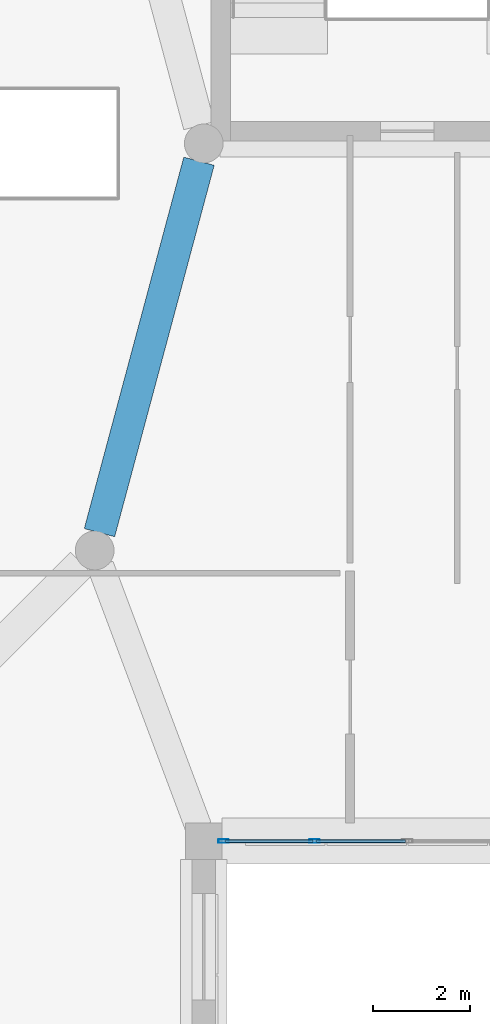
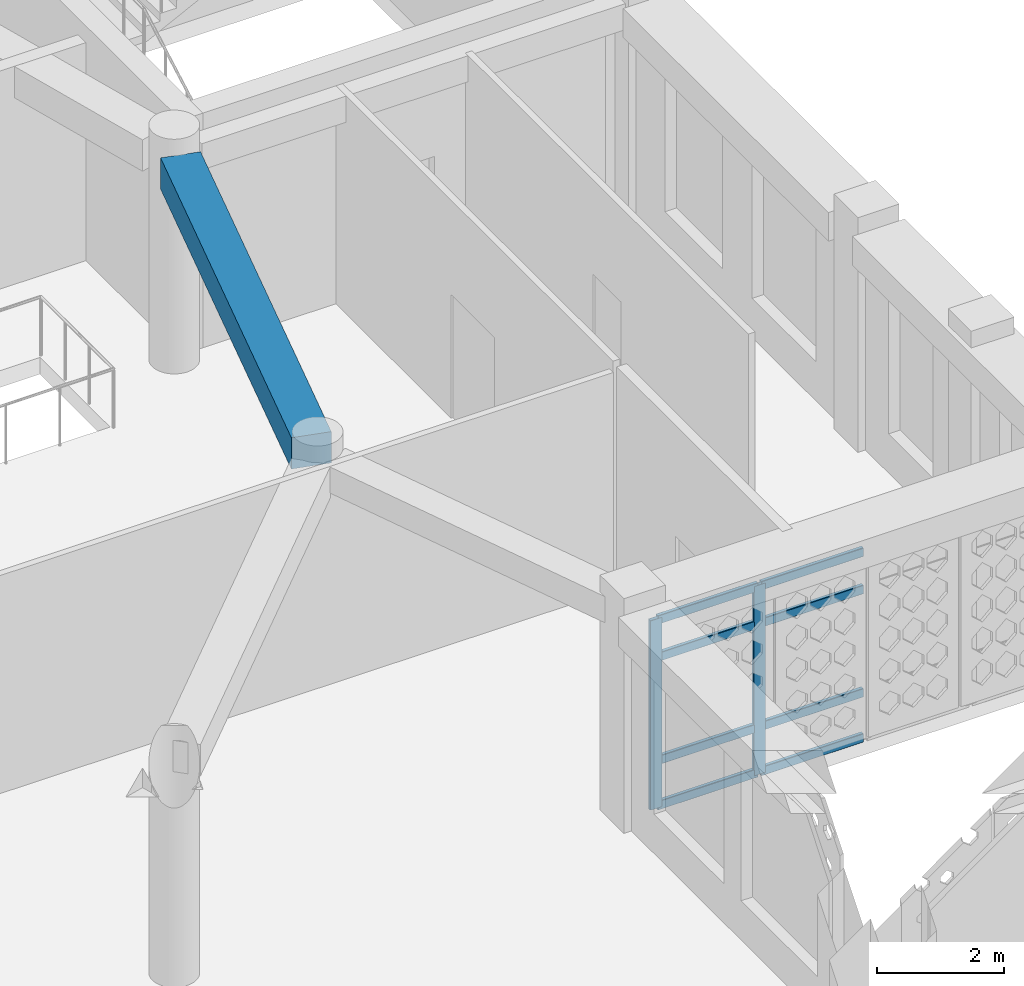
# One storey, part 34 of 121: 10 members, 1 beam, 1 element without a shape of its own.
"""IFC4 building model written with IfcOpenShell, lengths in metres."""

from ifc_helpers import new_model, si_unit, derived_unit, direction, frame, origin, origin_2d, place, context, subcontext, project, spatial, rectangle, hollow_rectangle, extrude, material, material_profile, profile_set, type_object, element, aggregate, save


model = new_model("IFC4")

# Units and contexts
model_context = context("Model", 3, precision=1e-05, world=origin(), true_north=direction((0.0, 1.0)))
body_context = subcontext(model_context, "Body", "Model", "MODEL_VIEW")
ifc_project = project(units=[si_unit("LENGTHUNIT", "METRE"), si_unit("AREAUNIT", "SQUARE_METRE"), si_unit("VOLUMEUNIT", "CUBIC_METRE"), si_unit("PLANEANGLEUNIT", "RADIAN"), si_unit("MASSUNIT", "GRAM", prefix="KILO"), derived_unit("THERMALTRANSMITTANCEUNIT", [(si_unit("POWERUNIT", "WATT"), 1), (si_unit("LENGTHUNIT", "METRE"), -2), (si_unit("THERMODYNAMICTEMPERATUREUNIT", "KELVIN"), -1)])], contexts=[model_context])

# Site, building, storey
site_placement = place(None, origin())
site = spatial("IfcSite", under=ifc_project, at=site_placement, CompositionType="ELEMENT")
building_placement = place(site_placement, origin())
building = spatial("IfcBuilding", under=site, at=building_placement, Name="Veybourne Emporium", CompositionType="ELEMENT")
storey_placement = place(building_placement, frame((0.0, 0.0, 5.39990234375)))
storey = spatial("IfcBuildingStorey", under=building, at=storey_placement, Name="L01", CompositionType="ELEMENT", Elevation=5.39990234375)

# Curtain wall, members
ifc_material_1 = material(Name="Patinated Architectural Bronze", Category="bronze")
curtain_wall_type = type_object("IfcCurtainWallType", Name="CWSystem_CWS-20", PredefinedType="NOTDEFINED", material=ifc_material_1)
curtain_wall_placement = place(storey_placement, origin())
curtain_wall = element("IfcCurtainWall", 1, at=curtain_wall_placement, inside=storey, type_object=curtain_wall_type, Name="L01 bronze glazed curtain wall CWS-20 (048)", PredefinedType="NOTDEFINED")
ifc_material_profile_1 = material_profile(ifc_material_1, hollow_rectangle(XDim=0.070068359375, YDim=0.219970703125, WallThickness=0.0048828125, InnerFilletRadius=0.007568359375, OuterFilletRadius=0.012451171875, at=origin_2d()), Name="CWM 70x220x5")
ifc_profile_set_1 = profile_set([ifc_material_profile_1], Name="Patinated Architectural Bronze")
member_type_1 = type_object("IfcMemberType", Name="CWMullion_CW-M4", PredefinedType="MULLION", material=ifc_profile_set_1)
member_1_placement = place(storey_placement, frame((94.6875, 36.0, 0.0), z_axis=(0.0, 0.0, 1.0), x_axis=(0.0, -1.0, 0.0)))
member_1 = element("IfcMember", 2, at=member_1_placement, type_object=member_type_1, Name="CWS-20 mullion 4", PredefinedType="MULLION", context=body_context, shape_type="SweptSolid", body=[
    extrude(hollow_rectangle(XDim=0.070068359375, YDim=0.219970703125, WallThickness=0.0048828125, InnerFilletRadius=0.007568359375, OuterFilletRadius=0.012451171875, at=origin_2d()), origin(), (0.0, 0.0, 1.0), 3.630126953125),
])
member_2_placement = place(storey_placement, frame((92.81005859375, 36.0, 0.0), z_axis=(0.0, 0.0, 1.0), x_axis=(0.0, -1.0, 0.0)))
member_2 = element("IfcMember", 3, at=member_2_placement, type_object=member_type_1, Name="CWS-20 mullion 5", PredefinedType="MULLION", context=body_context, shape_type="SweptSolid", body=[
    extrude(hollow_rectangle(XDim=0.070068359375, YDim=0.219970703125, WallThickness=0.0048828125, InnerFilletRadius=0.007568359375, OuterFilletRadius=0.012451171875, at=origin_2d()), origin(), (0.0, 0.0, 1.0), 3.630126953125),
])
ifc_material_profile_2 = material_profile(ifc_material_1, hollow_rectangle(XDim=0.070068359375, YDim=0.169921875, WallThickness=0.0048828125, InnerFilletRadius=0.007568359375, OuterFilletRadius=0.012451171875, at=origin_2d()), Name="CWT 70x170x5")
ifc_profile_set_2 = profile_set([ifc_material_profile_2], Name="Patinated Architectural Bronze")
member_type_2 = type_object("IfcMemberType", Name="CWTransom_CW-T4", PredefinedType="NOTDEFINED", material=ifc_profile_set_2)
member_3_placement = place(storey_placement, frame((96.56494140625, 36.0, 0.03515625), z_axis=(-1.0, 0.0, 0.0), x_axis=(0.0, -1.0, 0.0)))
member_3 = element("IfcMember", 4, at=member_3_placement, type_object=member_type_2, Name="CWS-20 transom 3.1", ObjectType="TRANSOM", PredefinedType="USERDEFINED", context=body_context, shape_type="SweptSolid", body=[
    extrude(hollow_rectangle(XDim=0.070068359375, YDim=0.169921875, WallThickness=0.0048828125, InnerFilletRadius=0.007568359375, OuterFilletRadius=0.012451171875, at=origin_2d()), origin(), (0.0, 0.0, 1.0), 1.842529296875),
])
member_4_placement = place(storey_placement, frame((96.56494140625, 36.0, 0.900146484375), z_axis=(-1.0, 0.0, 0.0), x_axis=(0.0, -1.0, 0.0)))
member_4 = element("IfcMember", 5, at=member_4_placement, type_object=member_type_2, Name="CWS-20 transom 3.2", ObjectType="TRANSOM", PredefinedType="USERDEFINED", context=body_context, shape_type="SweptSolid", body=[
    extrude(hollow_rectangle(XDim=0.070068359375, YDim=0.169921875, WallThickness=0.0048828125, InnerFilletRadius=0.007568359375, OuterFilletRadius=0.012451171875, at=origin_2d()), origin(), (0.0, 0.0, 1.0), 1.842529296875),
])
member_5_placement = place(storey_placement, frame((96.56494140625, 36.0, 2.880126953125), z_axis=(-1.0, 0.0, 0.0), x_axis=(0.0, -1.0, 0.0)))
member_5 = element("IfcMember", 6, at=member_5_placement, type_object=member_type_2, Name="CWS-20 transom 3.3", ObjectType="TRANSOM", PredefinedType="USERDEFINED", context=body_context, shape_type="SweptSolid", body=[
    extrude(hollow_rectangle(XDim=0.070068359375, YDim=0.169921875, WallThickness=0.0048828125, InnerFilletRadius=0.007568359375, OuterFilletRadius=0.012451171875, at=origin_2d()), origin(), (0.0, 0.0, 1.0), 1.842529296875),
])
member_6_placement = place(storey_placement, frame((96.56494140625, 36.0, 3.59521484375), z_axis=(-1.0, 0.0, 0.0), x_axis=(0.0, -1.0, 0.0)))
member_6 = element("IfcMember", 7, at=member_6_placement, type_object=member_type_2, Name="CWS-20 transom 3.4", ObjectType="TRANSOM", PredefinedType="USERDEFINED", context=body_context, shape_type="SweptSolid", body=[
    extrude(hollow_rectangle(XDim=0.070068359375, YDim=0.169921875, WallThickness=0.0048828125, InnerFilletRadius=0.007568359375, OuterFilletRadius=0.012451171875, at=origin_2d()), origin(), (0.0, 0.0, 1.0), 1.842529296875),
])
member_7_placement = place(storey_placement, frame((94.652587890625, 36.0, 0.03515625), z_axis=(-1.0, 0.0, 0.0), x_axis=(0.0, -1.0, 0.0)))
member_7 = element("IfcMember", 8, at=member_7_placement, type_object=member_type_2, Name="CWS-20 transom 4.1", ObjectType="TRANSOM", PredefinedType="USERDEFINED", context=body_context, shape_type="SweptSolid", body=[
    extrude(hollow_rectangle(XDim=0.070068359375, YDim=0.169921875, WallThickness=0.0048828125, InnerFilletRadius=0.007568359375, OuterFilletRadius=0.012451171875, at=origin_2d()), origin(), (0.0, 0.0, 1.0), 1.8076171875),
])
member_8_placement = place(storey_placement, frame((94.652587890625, 36.0, 0.900146484375), z_axis=(-1.0, 0.0, 0.0), x_axis=(0.0, -1.0, 0.0)))
member_8 = element("IfcMember", 9, at=member_8_placement, type_object=member_type_2, Name="CWS-20 transom 4.2", ObjectType="TRANSOM", PredefinedType="USERDEFINED", context=body_context, shape_type="SweptSolid", body=[
    extrude(hollow_rectangle(XDim=0.070068359375, YDim=0.169921875, WallThickness=0.0048828125, InnerFilletRadius=0.007568359375, OuterFilletRadius=0.012451171875, at=origin_2d()), origin(), (0.0, 0.0, 1.0), 1.8076171875),
])
member_9_placement = place(storey_placement, frame((94.652587890625, 36.0, 2.880126953125), z_axis=(-1.0, 0.0, 0.0), x_axis=(0.0, -1.0, 0.0)))
member_9 = element("IfcMember", 10, at=member_9_placement, type_object=member_type_2, Name="CWS-20 transom 4.3", ObjectType="TRANSOM", PredefinedType="USERDEFINED", context=body_context, shape_type="SweptSolid", body=[
    extrude(hollow_rectangle(XDim=0.070068359375, YDim=0.169921875, WallThickness=0.0048828125, InnerFilletRadius=0.007568359375, OuterFilletRadius=0.012451171875, at=origin_2d()), origin(), (0.0, 0.0, 1.0), 1.8076171875),
])
member_10_placement = place(storey_placement, frame((94.652587890625, 36.0, 3.59521484375), z_axis=(-1.0, 0.0, 0.0), x_axis=(0.0, -1.0, 0.0)))
member_10 = element("IfcMember", 11, at=member_10_placement, type_object=member_type_2, Name="CWS-20 transom 4.4", ObjectType="TRANSOM", PredefinedType="USERDEFINED", context=body_context, shape_type="SweptSolid", body=[
    extrude(hollow_rectangle(XDim=0.070068359375, YDim=0.169921875, WallThickness=0.0048828125, InnerFilletRadius=0.007568359375, OuterFilletRadius=0.012451171875, at=origin_2d()), origin(), (0.0, 0.0, 1.0), 1.8076171875),
])
aggregate(curtain_wall, [member_1, member_2, member_3, member_4, member_5, member_6, member_7, member_8, member_9, member_10])

# Beam
ifc_material_2 = material(Name="Concrete C32/40", Category="concrete")
ifc_material_profile_3 = material_profile(ifc_material_2, rectangle(XDim=0.64990234375, YDim=0.60009765625, at=origin_2d()), Name="RC 650x600")
ifc_profile_set_3 = profile_set([ifc_material_profile_3], Name="Concrete C32/40")
beam_type = type_object("IfcBeamType", Name="RCBeam_EB-02", PredefinedType="BEAM", material=ifc_profile_set_3)
beam_placement = place(storey_placement, frame((90.24755859375, 42.366943359375, 3.880126953125), z_axis=(0.258830392331, 0.965922785737, 0.0), x_axis=(-0.965922785737, 0.258830392331, 0.0)))
element("IfcBeam", 12, at=beam_placement, inside=storey, type_object=beam_type, Name="Atrium ring beam EB-02 L01-12", PredefinedType="BEAM", context=body_context, shape_type="SweptSolid", body=[
    extrude(rectangle(XDim=0.64990234375, YDim=0.60009765625, at=origin_2d()), origin(), (0.0, 0.0, 1.0), 7.9365234375),
])

save(model, "model.ifc")
